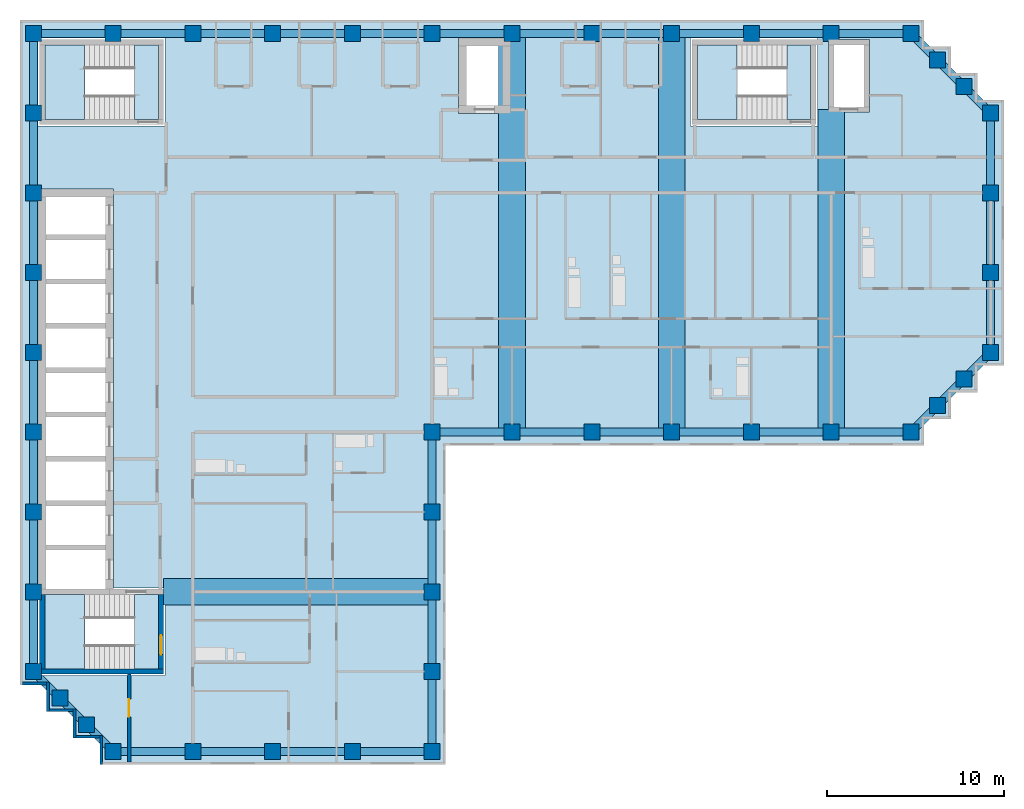
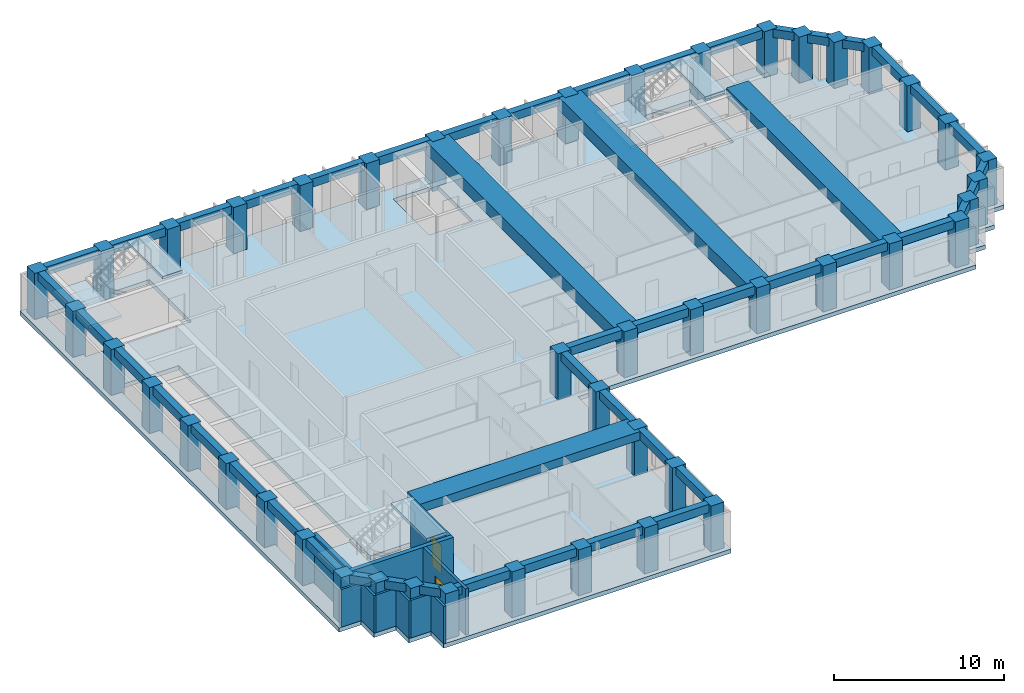
# One storey, part 1 of 9: 49 beams, 45 columns, 10 walls, 7 slabs, 2 doors, 2 openings, 3 elements without a shape of their own.
"""IFC4 building model written with IfcOpenShell, lengths in metres."""

from ifc_helpers import new_model, si_unit, direction, frame, frame_2d, origin, origin_2d, place, context, subcontext, project, spatial, polyline, rectangle, outline, extrude, material, layer, layer_set, material_profile, profile_set, type_object, element, fill, aggregate, save


model = new_model("IFC4")

# Units and contexts
model_context = context("Model", 3, precision=1e-05, world=origin(), true_north=direction((0.0, 1.0)))
body_context = subcontext(model_context, "Body", "Model", "MODEL_VIEW")
ifc_project = project(units=[si_unit("LENGTHUNIT", "METRE"), si_unit("AREAUNIT", "SQUARE_METRE"), si_unit("VOLUMEUNIT", "CUBIC_METRE"), si_unit("PLANEANGLEUNIT", "RADIAN"), si_unit("MASSUNIT", "GRAM", prefix="KILO")], contexts=[model_context])

# Site, building, storey
site_placement = place(None, origin())
site = spatial("IfcSite", under=ifc_project, at=site_placement, CompositionType="ELEMENT")
building_placement = place(site_placement, origin())
building = spatial("IfcBuilding", under=site, at=building_placement, Name="Firuza Court", CompositionType="ELEMENT")
storey_placement = place(building_placement, frame((0.0, 0.0, 222.199951171875)))
storey = spatial("IfcBuildingStorey", under=building, at=storey_placement, Name="L57", CompositionType="ELEMENT", Elevation=222.199951171875)

# Columns
ifc_material_1 = material(Name="Concrete C50/60", Category="concrete")
ifc_material_profile_1 = material_profile(ifc_material_1, rectangle(XDim=0.89990234375, YDim=0.89990234375, at=origin_2d()), Name="RC 900x900")
ifc_profile_set_1 = profile_set([ifc_material_profile_1], Name="Concrete C50/60")
column_type = type_object("IfcColumnType", Name="Tube column RC 900x900 C50/60", PredefinedType="COLUMN", material=ifc_profile_set_1)
for number, where, z_axis, x_axis, name in (
    (1, (4.5, 18.0, -0.300048828125), (0.0, 0.0, 1.0), (1.0, 0.0, 0.0), "Column C-2H L57"),
    (2, (9.0, 18.0, -0.300048828125), (0.0, 0.0, 1.0), (1.0, 0.0, 0.0), "Column C-3H L57"),
    (3, (13.5, 18.0, -0.300048828125), (0.0, 0.0, 1.0), (1.0, 0.0, 0.0), "Column C-4H L57"),
    (4, (18.0, 18.0, -0.300048828125), (0.0, 0.0, 1.0), (1.0, 0.0, 0.0), "Column C-5H L57"),
    (5, (22.5, 18.0, -0.300048828125), (0.0, 0.0, 1.0), (1.0, 0.0, 0.0), "Column C-6H L57"),
    (6, (3.0, 19.5, -0.300048828125), (0.0, 0.0, 1.0), (1.0, 0.0, 0.0), "Column C-SA1 L57"),
    (7, (1.5, 21.0, -0.300048828125), (0.0, 0.0, 1.0), (1.0, 0.0, 0.0), "Column C-SA2 L57"),
    (8, (0.0, 22.5, -0.300048828125), (0.0, 0.0, 1.0), (1.0, 0.0, 0.0), "Column C-1J L57"),
    (9, (22.5, 22.5, -0.300048828125), (0.0, 0.0, 1.0), (1.0, 0.0, 0.0), "Column C-6J L57"),
    (10, (0.0, 27.0, -0.300048828125), (0.0, 0.0, 1.0), (1.0, 0.0, 0.0), "Column C-1K L57"),
    (11, (22.5, 27.0, -0.300048828125), (0.0, 0.0, 1.0), (1.0, 0.0, 0.0), "Column C-6K L57"),
    (12, (0.0, 31.5, -0.300048828125), (0.0, 0.0, 1.0), (1.0, 0.0, 0.0), "Column C-1L L57"),
    (13, (22.5, 31.5, -0.300048828125), (0.0, 0.0, 1.0), (1.0, 0.0, 0.0), "Column C-6L L57"),
    (14, (0.0, 36.0, -0.300048828125), (0.0, 0.0, 1.0), (1.0, 0.0, 0.0), "Column C-1M L57"),
    (15, (22.5, 36.0, -0.300048828125), (0.0, 0.0, 1.0), (1.0, 0.0, 0.0), "Column C-6M L57"),
    (16, (27.0, 36.0, -0.300048828125), (0.0, 0.0, 1.0), (1.0, 0.0, 0.0), "Column C-7M L57"),
    (17, (31.5, 36.0, -0.300048828125), (0.0, 0.0, 1.0), (1.0, 0.0, 0.0), "Column C-8M L57"),
    (18, (36.0, 36.0, -0.300048828125), (0.0, 0.0, 1.0), (1.0, 0.0, 0.0), "Column C-9M L57"),
    (19, (40.5, 36.0, -0.300048828125), (0.0, 0.0, 1.0), (1.0, 0.0, 0.0), "Column C-10M L57"),
    (20, (45.0, 36.0, -0.300048828125), (0.0, 0.0, 1.0), (1.0, 0.0, 0.0), "Column C-11M L57"),
    (21, (49.5, 36.0, -0.300048828125), (0.0, 0.0, 1.0), (1.0, 0.0, 0.0), "Column C-12M L57"),
    (22, (51.0, 37.5, -0.300048828125), (0.0, 0.0, 1.0), (1.0, 0.0, 0.0), "Column C-SA3 L57"),
    (23, (52.5, 39.0, -0.300048828125), (0.0, 0.0, 1.0), (1.0, 0.0, 0.0), "Column C-SA4 L57"),
    (24, (0.0, 40.5, -0.300048828125), (0.0, 0.0, 1.0), (1.0, 0.0, 0.0), "Column C-1N L57"),
    (25, (54.0, 40.5, -0.300048828125), (0.0, 0.0, 1.0), (1.0, 0.0, 0.0), "Column C-13N L57"),
    (26, (0.0, 45.0, -0.300048828125), (0.0, 0.0, 1.0), (1.0, 0.0, 0.0), "Column C-1P L57"),
    (27, (54.0, 45.0, -0.300048828125), (0.0, 0.0, 1.0), (1.0, 0.0, 0.0), "Column C-13P L57"),
    (28, (0.0, 49.5, -0.300048828125), (0.0, 0.0, 1.0), (1.0, 0.0, 0.0), "Column C-1Q L57"),
    (29, (54.0, 49.5, -0.300048828125), (0.0, 0.0, 1.0), (1.0, 0.0, 0.0), "Column C-13Q L57"),
    (30, (0.0, 54.0, -0.300048828125), (0.0, 0.0, 1.0), (1.0, 0.0, 0.0), "Column C-1R L57"),
    (31, (54.0, 54.0, -0.300048828125), (0.0, 0.0, 1.0), (1.0, 0.0, 0.0), "Column C-13R L57"),
    (32, (52.5, 55.5, -0.300048828125), (0.0, 0.0, 1.0), (1.0, 0.0, 0.0), "Column C-SA5 L57"),
    (33, (51.0, 57.0, -0.300048828125), (0.0, 0.0, 1.0), (1.0, 0.0, 0.0), "Column C-SA6 L57"),
    (34, (0.0, 58.5, -0.300048828125), (0.0, 0.0, 1.0), (1.0, 0.0, 0.0), "Column C-1S L57"),
    (35, (4.5, 58.5, -0.300048828125), (0.0, 0.0, 1.0), (1.0, 0.0, 0.0), "Column C-2S L57"),
    (36, (9.0, 58.5, -0.300048828125), (0.0, 0.0, 1.0), (1.0, 0.0, 0.0), "Column C-3S L57"),
    (37, (13.5, 58.5, -0.300048828125), (0.0, 0.0, 1.0), (1.0, 0.0, 0.0), "Column C-4S L57"),
    (38, (18.0, 58.5, -0.300048828125), (0.0, 0.0, 1.0), (1.0, 0.0, 0.0), "Column C-5S L57"),
    (39, (22.5, 58.5, -0.300048828125), (0.0, 0.0, 1.0), (1.0, 0.0, 0.0), "Column C-6S L57"),
    (40, (27.0, 58.5, -0.300048828125), (0.0, 0.0, 1.0), (1.0, 0.0, 0.0), "Column C-7S L57"),
    (41, (31.5, 58.5, -0.300048828125), (0.0, 0.0, 1.0), (1.0, 0.0, 0.0), "Column C-8S L57"),
    (42, (36.0, 58.5, -0.300048828125), (0.0, 0.0, 1.0), (1.0, 0.0, 0.0), "Column C-9S L57"),
    (43, (40.5, 58.5, -0.300048828125), (0.0, 0.0, 1.0), (1.0, 0.0, 0.0), "Column C-10S L57"),
    (44, (45.0, 58.5, -0.300048828125), (0.0, 0.0, 1.0), (1.0, 0.0, 0.0), "Column C-11S L57"),
    (45, (49.5, 58.5, -0.300048828125), (0.0, 0.0, 1.0), (1.0, 0.0, 0.0), "Column C-12S L57"),
):
    element("IfcColumn", number, at=place(storey_placement, frame(where, z_axis=z_axis, x_axis=x_axis)), inside=storey, type_object=column_type, Name=name, PredefinedType="COLUMN", context=body_context, shape_type="SweptSolid", body=[
        extrude(rectangle(XDim=0.89990234375, YDim=0.89990234375, at=origin_2d()), origin(), (0.0, 0.0, 1.0), 3.60009765625),
    ])

# Beams
ifc_material_2 = material(Name="Concrete C40/50", Category="concrete")
ifc_material_profile_2 = material_profile(ifc_material_2, rectangle(XDim=1.5, YDim=0.60009765625, at=origin_2d()), Name="RC 1500x600")
ifc_profile_set_2 = profile_set([ifc_material_profile_2], Name="Concrete C40/50")
beam_type_1 = type_object("IfcBeamType", Name="Band beam RC 1500x600 C40/50", PredefinedType="BEAM", material=ifc_profile_set_2)
beam_1_placement = place(storey_placement, frame((22.5, 27.0, 3.0), z_axis=(-1.0, 0.0, 0.0), x_axis=(0.0, -1.0, 0.0)))
element("IfcBeam", 46, at=beam_1_placement, inside=storey, type_object=beam_type_1, Name="Band beam FB3 level L58", PredefinedType="BEAM", context=body_context, shape_type="SweptSolid", body=[
    extrude(rectangle(XDim=1.5, YDim=0.60009765625, at=origin_2d()), origin(), (0.0, 0.0, 1.0), 15.14990234375),
])
ifc_material_3 = material(Name="Concrete C40/50", Category="concrete")
ifc_material_profile_3 = material_profile(ifc_material_3, rectangle(XDim=1.5, YDim=0.699951171875, at=origin_2d()), Name="RC 1500x700")
ifc_profile_set_3 = profile_set([ifc_material_profile_3], Name="Concrete C40/50")
beam_type_2 = type_object("IfcBeamType", Name="Band beam RC 1500x700 C40/50", PredefinedType="BEAM", material=ifc_profile_set_3)
beam_2_placement = place(storey_placement, frame((45.0, 36.0, 2.949951171875), z_axis=(0.0, 1.0, 0.0), x_axis=(-1.0, 0.0, 0.0)))
element("IfcBeam", 47, at=beam_2_placement, inside=storey, type_object=beam_type_2, Name="Band beam FB1 level L58", PredefinedType="BEAM", context=body_context, shape_type="SweptSolid", body=[
    extrude(rectangle(XDim=1.5, YDim=0.699951171875, at=origin_2d()), origin(), (0.0, 0.0, 1.0), 18.199951171875),
])
ifc_material_4 = material(Name="Concrete C40/50", Category="concrete")
ifc_material_profile_4 = material_profile(ifc_material_4, rectangle(XDim=1.5, YDim=0.89990234375, at=origin_2d()), Name="RC 1500x900")
ifc_profile_set_4 = profile_set([ifc_material_profile_4], Name="Concrete C40/50")
beam_type_3 = type_object("IfcBeamType", Name="Band beam RC 1500x900 C40/50", PredefinedType="BEAM", material=ifc_profile_set_4)
for number, where, z_axis, x_axis, name in (
    (48, (27.0, 36.0, 2.85009765625), (0.0, 1.0, 0.0), (-1.0, 0.0, 0.0), "Band beam FB2 level L58"),
    (49, (36.0, 36.0, 2.85009765625), (0.0, 1.0, 0.0), (-1.0, 0.0, 0.0), "Band beam FB2 level L58"),
):
    element("IfcBeam", number, at=place(storey_placement, frame(where, z_axis=z_axis, x_axis=x_axis)), inside=storey, type_object=beam_type_3, Name=name, PredefinedType="BEAM", context=body_context, shape_type="SweptSolid", body=[
        extrude(rectangle(XDim=1.5, YDim=0.89990234375, at=origin_2d()), origin(), (0.0, 0.0, 1.0), 22.5),
    ])
ifc_material_5 = material(Name="Concrete C40/50", Category="concrete")
ifc_material_profile_5 = material_profile(ifc_material_5, rectangle(XDim=0.449951171875, YDim=0.60009765625, at=origin_2d()), Name="RC 450x600")
ifc_profile_set_5 = profile_set([ifc_material_profile_5], Name="Concrete C40/50")
beam_type_4 = type_object("IfcBeamType", Name="Spandrel beam RC 450x600 C40/50", PredefinedType="BEAM", material=ifc_profile_set_5)
beam_3_placement = place(storey_placement, frame((0.0, 22.5, 3.0), z_axis=(0.707106781187, -0.707106781187, 0.0), x_axis=(0.707106781187, 0.707106781187, 0.0)))
element("IfcBeam", 50, at=beam_3_placement, inside=storey, type_object=beam_type_4, Name="Spandrel beam SP15 level L58", PredefinedType="BEAM", context=body_context, shape_type="SweptSolid", body=[
    extrude(rectangle(XDim=0.449951171875, YDim=0.60009765625, at=origin_2d()), origin(), (0.0, 0.0, 1.0), 2.121337890625),
])
for number, where, z_axis, x_axis, name in (
    (51, (0.0, 27.0, 3.0), (0.0, -1.0, 0.0), (1.0, 0.0, 0.0), "Spandrel beam SP15 level L58"),
    (52, (0.0, 31.5, 3.0), (0.0, -1.0, 0.0), (1.0, 0.0, 0.0), "Spandrel beam SP15 level L58"),
    (53, (0.0, 36.0, 3.0), (0.0, -1.0, 0.0), (1.0, 0.0, 0.0), "Spandrel beam SP15 level L58"),
    (54, (0.0, 40.5, 3.0), (0.0, -1.0, 0.0), (1.0, 0.0, 0.0), "Spandrel beam SP15 level L58"),
    (55, (0.0, 45.0, 3.0), (0.0, -1.0, 0.0), (1.0, 0.0, 0.0), "Spandrel beam SP15 level L58"),
    (56, (0.0, 49.5, 3.0), (0.0, -1.0, 0.0), (1.0, 0.0, 0.0), "Spandrel beam SP15 level L58"),
    (57, (0.0, 54.0, 3.0), (0.0, -1.0, 0.0), (1.0, 0.0, 0.0), "Spandrel beam SP15 level L58"),
    (58, (0.0, 58.5, 3.0), (0.0, -1.0, 0.0), (1.0, 0.0, 0.0), "Spandrel beam SP15 level L58"),
):
    element("IfcBeam", number, at=place(storey_placement, frame(where, z_axis=z_axis, x_axis=x_axis)), inside=storey, type_object=beam_type_4, Name=name, PredefinedType="BEAM", context=body_context, shape_type="SweptSolid", body=[
        extrude(rectangle(XDim=0.449951171875, YDim=0.60009765625, at=origin_2d()), origin(), (0.0, 0.0, 1.0), 4.5),
    ])
for number, where, z_axis, x_axis, name in (
    (59, (1.5, 21.0, 3.0), (0.707106781187, -0.707106781187, 0.0), (0.707106781187, 0.707106781187, 0.0), "Spandrel beam SP15 level L58"),
    (60, (3.0, 19.5, 3.0), (0.707106781187, -0.707106781187, 0.0), (0.707106781187, 0.707106781187, 0.0), "Spandrel beam SP15 level L58"),
):
    element("IfcBeam", number, at=place(storey_placement, frame(where, z_axis=z_axis, x_axis=x_axis)), inside=storey, type_object=beam_type_4, Name=name, PredefinedType="BEAM", context=body_context, shape_type="SweptSolid", body=[
        extrude(rectangle(XDim=0.449951171875, YDim=0.60009765625, at=origin_2d()), origin(), (0.0, 0.0, 1.0), 2.121337890625),
    ])
for number, where, z_axis, x_axis, name in (
    (61, (4.5, 18.0, 3.0), (1.0, 0.0, 0.0), (0.0, 1.0, 0.0), "Spandrel beam SP15 level L58"),
    (62, (4.5, 58.5, 3.0), (-1.0, 0.0, 0.0), (0.0, -1.0, 0.0), "Spandrel beam SP15 level L58"),
    (63, (9.0, 18.0, 3.0), (1.0, 0.0, 0.0), (0.0, 1.0, 0.0), "Spandrel beam SP15 level L58"),
    (64, (9.0, 58.5, 3.0), (-1.0, 0.0, 0.0), (0.0, -1.0, 0.0), "Spandrel beam SP15 level L58"),
    (65, (13.5, 18.0, 3.0), (1.0, 0.0, 0.0), (0.0, 1.0, 0.0), "Spandrel beam SP15 level L58"),
    (66, (13.5, 58.5, 3.0), (-1.0, 0.0, 0.0), (0.0, -1.0, 0.0), "Spandrel beam SP15 level L58"),
    (67, (18.0, 18.0, 3.0), (1.0, 0.0, 0.0), (0.0, 1.0, 0.0), "Spandrel beam SP15 level L58"),
    (68, (18.0, 58.5, 3.0), (-1.0, 0.0, 0.0), (0.0, -1.0, 0.0), "Spandrel beam SP15 level L58"),
    (69, (22.5, 18.0, 3.0), (0.0, 1.0, 0.0), (-1.0, 0.0, 0.0), "Spandrel beam SP15 level L58"),
    (70, (22.5, 22.5, 3.0), (0.0, 1.0, 0.0), (-1.0, 0.0, 0.0), "Spandrel beam SP15 level L58"),
    (71, (22.5, 27.0, 3.0), (0.0, 1.0, 0.0), (-1.0, 0.0, 0.0), "Spandrel beam SP15 level L58"),
    (72, (22.5, 31.5, 3.0), (0.0, 1.0, 0.0), (-1.0, 0.0, 0.0), "Spandrel beam SP15 level L58"),
    (73, (22.5, 36.0, 3.0), (1.0, 0.0, 0.0), (0.0, 1.0, 0.0), "Spandrel beam SP15 level L58"),
    (74, (22.5, 58.5, 3.0), (-1.0, 0.0, 0.0), (0.0, -1.0, 0.0), "Spandrel beam SP15 level L58"),
    (75, (27.0, 36.0, 3.0), (1.0, 0.0, 0.0), (0.0, 1.0, 0.0), "Spandrel beam SP15 level L58"),
    (76, (27.0, 58.5, 3.0), (-1.0, 0.0, 0.0), (0.0, -1.0, 0.0), "Spandrel beam SP15 level L58"),
    (77, (31.5, 36.0, 3.0), (1.0, 0.0, 0.0), (0.0, 1.0, 0.0), "Spandrel beam SP15 level L58"),
    (78, (31.5, 58.5, 3.0), (-1.0, 0.0, 0.0), (0.0, -1.0, 0.0), "Spandrel beam SP15 level L58"),
    (79, (36.0, 36.0, 3.0), (1.0, 0.0, 0.0), (0.0, 1.0, 0.0), "Spandrel beam SP15 level L58"),
    (80, (36.0, 58.5, 3.0), (-1.0, 0.0, 0.0), (0.0, -1.0, 0.0), "Spandrel beam SP15 level L58"),
    (81, (40.5, 36.0, 3.0), (1.0, 0.0, 0.0), (0.0, 1.0, 0.0), "Spandrel beam SP15 level L58"),
    (82, (40.5, 58.5, 3.0), (-1.0, 0.0, 0.0), (0.0, -1.0, 0.0), "Spandrel beam SP15 level L58"),
    (83, (45.0, 36.0, 3.0), (1.0, 0.0, 0.0), (0.0, 1.0, 0.0), "Spandrel beam SP15 level L58"),
    (84, (45.0, 58.5, 3.0), (-1.0, 0.0, 0.0), (0.0, -1.0, 0.0), "Spandrel beam SP15 level L58"),
):
    element("IfcBeam", number, at=place(storey_placement, frame(where, z_axis=z_axis, x_axis=x_axis)), inside=storey, type_object=beam_type_4, Name=name, PredefinedType="BEAM", context=body_context, shape_type="SweptSolid", body=[
        extrude(rectangle(XDim=0.449951171875, YDim=0.60009765625, at=origin_2d()), origin(), (0.0, 0.0, 1.0), 4.5),
    ])
beam_4_placement = place(storey_placement, frame((49.5, 36.0, 3.0), z_axis=(0.707106781187, 0.707106781187, 0.0), x_axis=(-0.707106781187, 0.707106781187, 0.0)))
element("IfcBeam", 85, at=beam_4_placement, inside=storey, type_object=beam_type_4, Name="Spandrel beam SP15 level L58", PredefinedType="BEAM", context=body_context, shape_type="SweptSolid", body=[
    extrude(rectangle(XDim=0.449951171875, YDim=0.60009765625, at=origin_2d()), origin(), (0.0, 0.0, 1.0), 2.121337890625),
])
beam_5_placement = place(storey_placement, frame((49.5, 58.5, 3.0), z_axis=(-1.0, 0.0, 0.0), x_axis=(0.0, -1.0, 0.0)))
element("IfcBeam", 86, at=beam_5_placement, inside=storey, type_object=beam_type_4, Name="Spandrel beam SP15 level L58", PredefinedType="BEAM", context=body_context, shape_type="SweptSolid", body=[
    extrude(rectangle(XDim=0.449951171875, YDim=0.60009765625, at=origin_2d()), origin(), (0.0, 0.0, 1.0), 4.5),
])
for number, where, z_axis, x_axis, name in (
    (87, (51.0, 37.5, 3.0), (0.707106781187, 0.707106781187, 0.0), (-0.707106781187, 0.707106781187, 0.0), "Spandrel beam SP15 level L58"),
    (88, (51.0, 57.0, 3.0), (-0.707106781187, 0.707106781187, 0.0), (-0.707106781187, -0.707106781187, 0.0), "Spandrel beam SP15 level L58"),
    (89, (52.5, 39.0, 3.0), (0.707106781187, 0.707106781187, 0.0), (-0.707106781187, 0.707106781187, 0.0), "Spandrel beam SP15 level L58"),
    (90, (52.5, 55.5, 3.0), (-0.707106781187, 0.707106781187, 0.0), (-0.707106781187, -0.707106781187, 0.0), "Spandrel beam SP15 level L58"),
):
    element("IfcBeam", number, at=place(storey_placement, frame(where, z_axis=z_axis, x_axis=x_axis)), inside=storey, type_object=beam_type_4, Name=name, PredefinedType="BEAM", context=body_context, shape_type="SweptSolid", body=[
        extrude(rectangle(XDim=0.449951171875, YDim=0.60009765625, at=origin_2d()), origin(), (0.0, 0.0, 1.0), 2.121337890625),
    ])
for number, where, z_axis, x_axis, name in (
    (91, (54.0, 40.5, 3.0), (0.0, 1.0, 0.0), (-1.0, 0.0, 0.0), "Spandrel beam SP15 level L58"),
    (92, (54.0, 45.0, 3.0), (0.0, 1.0, 0.0), (-1.0, 0.0, 0.0), "Spandrel beam SP15 level L58"),
    (93, (54.0, 49.5, 3.0), (0.0, 1.0, 0.0), (-1.0, 0.0, 0.0), "Spandrel beam SP15 level L58"),
):
    element("IfcBeam", number, at=place(storey_placement, frame(where, z_axis=z_axis, x_axis=x_axis)), inside=storey, type_object=beam_type_4, Name=name, PredefinedType="BEAM", context=body_context, shape_type="SweptSolid", body=[
        extrude(rectangle(XDim=0.449951171875, YDim=0.60009765625, at=origin_2d()), origin(), (0.0, 0.0, 1.0), 4.5),
    ])
beam_6_placement = place(storey_placement, frame((54.0, 54.0, 3.0), z_axis=(-0.707106781187, 0.707106781187, 0.0), x_axis=(-0.707106781187, -0.707106781187, 0.0)))
element("IfcBeam", 94, at=beam_6_placement, inside=storey, type_object=beam_type_4, Name="Spandrel beam SP15 level L58", PredefinedType="BEAM", context=body_context, shape_type="SweptSolid", body=[
    extrude(rectangle(XDim=0.449951171875, YDim=0.60009765625, at=origin_2d()), origin(), (0.0, 0.0, 1.0), 2.121337890625),
])

# Slab
ifc_material_6 = material(Name="Concrete C40/50", Category="concrete")
ifc_layer_1 = layer(ifc_material_6, 0.300048828125)
ifc_layer_set_1 = layer_set([ifc_layer_1], Name="Concrete C40/50")
slab_type_1 = type_object("IfcSlabType", Name="Floor slab 300 C40/50", PredefinedType="FLOOR", material=ifc_layer_set_1)
slab_1_placement = place(storey_placement, frame((0.0, 0.0, -0.300048828125)))
element("IfcSlab", 95, at=slab_1_placement, inside=storey, type_object=slab_type_1, Name="Floor slab L57", PredefinedType="FLOOR", context=body_context, shape_type="SweptSolid", body=[
    extrude(outline(polyline([(-0.75, 59.25), (50.25, 59.25), (50.25, 57.75), (51.75, 57.75), (51.75, 56.25), (53.25, 56.25), (53.25, 54.75), (54.75, 54.75), (54.75, 39.75), (53.25, 39.75), (53.25, 38.25), (51.75, 38.25), (51.75, 36.75), (50.25, 36.75), (50.25, 35.25), (23.25, 35.25), (23.25, 17.25), (3.75, 17.25), (3.75, 18.75), (2.25, 18.75), (2.25, 20.25), (0.75, 20.25), (0.75, 21.75), (-0.75, 21.75), (-0.75, 59.25)]), holes=[polyline([(0.27490234375, 34.27490234375), (0.27490234375, 32.22509765625), (0.27490234375, 31.77490234375), (0.27490234375, 29.72509765625), (0.27490234375, 29.27490234375), (0.27490234375, 27.22509765625), (0.27490234375, 26.77490234375), (0.27490234375, 22.27490234375), (7.425048828125, 22.27490234375), (7.425048828125, 27.22509765625), (4.52490234375, 27.22509765625), (4.52490234375, 29.27490234375), (4.52490234375, 29.72509765625), (4.52490234375, 31.77490234375), (4.52490234375, 32.22509765625), (4.52490234375, 34.27490234375), (4.52490234375, 34.72509765625), (4.52490234375, 36.77490234375), (4.52490234375, 37.22509765625), (4.52490234375, 39.27490234375), (4.52490234375, 39.72509765625), (4.52490234375, 41.77490234375), (4.52490234375, 42.22509765625), (4.52490234375, 44.27490234375), (4.52490234375, 44.72509765625), (4.52490234375, 46.77490234375), (4.52490234375, 47.22509765625), (4.52490234375, 49.72509765625), (0.27490234375, 49.72509765625), (0.27490234375, 47.22509765625), (0.27490234375, 46.77490234375), (0.27490234375, 44.72509765625), (0.27490234375, 44.27490234375), (0.27490234375, 42.22509765625), (0.27490234375, 41.77490234375), (0.27490234375, 39.72509765625), (0.27490234375, 39.27490234375), (0.27490234375, 37.22509765625), (0.27490234375, 36.77490234375), (0.27490234375, 34.72509765625), (0.27490234375, 34.27490234375)]), polyline([(7.425048828125, 58.22509765625), (0.27490234375, 58.22509765625), (0.27490234375, 53.27490234375), (7.425048828125, 53.27490234375), (7.425048828125, 58.22509765625)]), polyline([(44.22509765625, 58.22509765625), (37.074951171875, 58.22509765625), (37.074951171875, 53.27490234375), (44.22509765625, 53.27490234375), (44.22509765625, 58.22509765625)]), polyline([(26.925048828125, 58.22509765625), (23.97509765625, 58.22509765625), (23.97509765625, 53.97509765625), (26.925048828125, 53.97509765625), (26.925048828125, 58.22509765625)]), polyline([(47.14990234375, 58.14990234375), (44.85009765625, 58.14990234375), (44.85009765625, 54.050048828125), (47.14990234375, 54.050048828125), (47.14990234375, 58.14990234375)])]), origin(), (0.0, 0.0, 1.0), 0.300048828125),
])

# Stair, slabs
ifc_material_7 = material(Name="Concrete C40/50 precast", Category="concrete")
stair_type = type_object("IfcStairType", Name="Stair 1350 x 3600 2 flights", PredefinedType="HALF_TURN_STAIR", material=ifc_material_7)
stair_1_placement = place(storey_placement, origin())
stair_1 = element("IfcStair", 96, at=stair_1_placement, inside=storey, type_object=stair_type, Name="Stair 1 L57", PredefinedType="HALF_TURN_STAIR")
ifc_material_8 = material(Name="Concrete C40/50 precast", Category="concrete")
ifc_layer_2 = layer(ifc_material_8, 0.199951171875)
ifc_layer_set_2 = layer_set([ifc_layer_2], Name="Concrete C40/50 precast")
slab_type_2 = type_object("IfcSlabType", Name="Stair landing 200", PredefinedType="LANDING", material=ifc_layer_set_2)
slab_2_placement = place(storey_placement, frame((0.0, 0.0, 1.60009765625)))
slab_2 = element("IfcSlab", 97, at=slab_2_placement, type_object=slab_type_2, Name="S1 landing 1", PredefinedType="LANDING", context=body_context, shape_type="SweptSolid", body=[
    extrude(outline(polyline([(39.699951171875, 53.64990234375), (39.699951171875, 57.85009765625), (37.449951171875, 57.85009765625), (37.449951171875, 53.64990234375), (39.699951171875, 53.64990234375)])), origin(), (0.0, 0.0, 1.0), 0.199951171875),
])
slab_3_placement = place(storey_placement, frame((0.0, 0.0, 3.400146484375)))
slab_3 = element("IfcSlab", 98, at=slab_3_placement, type_object=slab_type_2, Name="S1 landing 2", PredefinedType="LANDING", context=body_context, shape_type="SweptSolid", body=[
    extrude(outline(polyline([(43.85009765625, 53.64990234375), (43.85009765625, 57.85009765625), (42.5, 57.85009765625), (42.5, 53.64990234375), (43.85009765625, 53.64990234375)])), origin(), (0.0, 0.0, 1.0), 0.199951171875),
])
aggregate(stair_1, [slab_2, slab_3])

stair_2_placement = place(storey_placement, origin())
stair_2 = element("IfcStair", 99, at=stair_2_placement, inside=storey, type_object=stair_type, Name="Stair 2 L57", PredefinedType="HALF_TURN_STAIR")
slab_4_placement = place(storey_placement, frame((0.0, 0.0, 1.60009765625)))
slab_4 = element("IfcSlab", 100, at=slab_4_placement, type_object=slab_type_2, Name="S2 landing 1", PredefinedType="LANDING", context=body_context, shape_type="SweptSolid", body=[
    extrude(outline(polyline([(2.89990234375, 22.64990234375), (2.89990234375, 26.85009765625), (0.64990234375, 26.85009765625), (0.64990234375, 22.64990234375), (2.89990234375, 22.64990234375)])), origin(), (0.0, 0.0, 1.0), 0.199951171875),
])
slab_5_placement = place(storey_placement, frame((0.0, 0.0, 3.400146484375)))
slab_5 = element("IfcSlab", 101, at=slab_5_placement, type_object=slab_type_2, Name="S2 landing 2", PredefinedType="LANDING", context=body_context, shape_type="SweptSolid", body=[
    extrude(outline(polyline([(7.050048828125, 22.64990234375), (7.050048828125, 26.85009765625), (5.699951171875, 26.85009765625), (5.699951171875, 22.64990234375), (7.050048828125, 22.64990234375)])), origin(), (0.0, 0.0, 1.0), 0.199951171875),
])
aggregate(stair_2, [slab_4, slab_5])

stair_3_placement = place(storey_placement, origin())
stair_3 = element("IfcStair", 102, at=stair_3_placement, inside=storey, type_object=stair_type, Name="Stair 3 L57", PredefinedType="HALF_TURN_STAIR")
slab_6_placement = place(storey_placement, frame((0.0, 0.0, 1.60009765625)))
slab_6 = element("IfcSlab", 103, at=slab_6_placement, type_object=slab_type_2, Name="S3 landing 1", PredefinedType="LANDING", context=body_context, shape_type="SweptSolid", body=[
    extrude(outline(polyline([(2.89990234375, 53.64990234375), (2.89990234375, 57.85009765625), (0.64990234375, 57.85009765625), (0.64990234375, 53.64990234375), (2.89990234375, 53.64990234375)])), origin(), (0.0, 0.0, 1.0), 0.199951171875),
])
slab_7_placement = place(storey_placement, frame((0.0, 0.0, 3.400146484375)))
slab_7 = element("IfcSlab", 104, at=slab_7_placement, type_object=slab_type_2, Name="S3 landing 2", PredefinedType="LANDING", context=body_context, shape_type="SweptSolid", body=[
    extrude(outline(polyline([(7.050048828125, 53.64990234375), (7.050048828125, 57.85009765625), (5.699951171875, 57.85009765625), (5.699951171875, 53.64990234375), (7.050048828125, 53.64990234375)])), origin(), (0.0, 0.0, 1.0), 0.199951171875),
])
aggregate(stair_3, [slab_6, slab_7])

# Walls
ifc_material_9 = material(Name="Concrete C50/60", Category="concrete")
ifc_layer_3 = layer(ifc_material_9, 0.300048828125)
ifc_layer_set_3 = layer_set([ifc_layer_3], Name="Concrete C50/60")
wall_type_1 = type_object("IfcWallType", Name="Core wall 300 C50/60", PredefinedType="SHEAR", material=ifc_layer_set_3)
wall_1_placement = place(storey_placement, frame((0.35009765625, 22.5, -0.300048828125), z_axis=(0.0, 0.0, 1.0), x_axis=(1.0, 0.0, 0.0)))
element("IfcWall", 105, at=wall_1_placement, inside=storey, type_object=wall_type_1, Name="Core wall stair L57", PredefinedType="SHEAR", context=body_context, shape_type="SweptSolid", body=[
    extrude(rectangle(XDim=7.0, YDim=0.300048828125, at=frame_2d((3.5, 0.0))), origin(), (0.0, 0.0, 1.0), 3.60009765625),
])
wall_2_placement = place(storey_placement, frame((0.5, 22.64990234375, -0.300048828125), z_axis=(0.0, 0.0, 1.0), x_axis=(0.0, 1.0, 0.0)))
element("IfcWall", 106, at=wall_2_placement, inside=storey, type_object=wall_type_1, Name="Core wall stair L57", PredefinedType="SHEAR", context=body_context, shape_type="SweptSolid", body=[
    extrude(rectangle(XDim=4.2001953125, YDim=0.300048828125, at=frame_2d((2.10009765625, 0.0))), origin(), (0.0, 0.0, 1.0), 3.60009765625),
])

# Wall, opening, door
wall_3_placement = place(storey_placement, frame((7.199951171875, 22.64990234375, -0.300048828125), z_axis=(0.0, 0.0, 1.0), x_axis=(0.0, 1.0, 0.0)))
wall_3 = element("IfcWall", 107, at=wall_3_placement, inside=storey, type_object=wall_type_1, Name="Core wall stair L57", PredefinedType="SHEAR", context=body_context, shape_type="SweptSolid", body=[
    extrude(rectangle(XDim=4.2001953125, YDim=0.300048828125, at=frame_2d((2.10009765625, 0.0))), origin(), (0.0, 0.0, 1.0), 3.60009765625),
])
opening_1_placement = place(wall_3_placement, frame((0.800048828125, 0.0, 0.300048828125)))
opening_1 = element("IfcOpeningElement", 108, at=opening_1_placement, cuts=wall_3, Name="Opening D57011", PredefinedType="OPENING", context=body_context, shape_type="SweptSolid", body=[
    extrude(rectangle(XDim=1.10009765625, YDim=2.10009765625, at=frame_2d((0.550048828125, 1.050048828125))), frame((0.0, 0.162109375, 0.0), z_axis=(0.0, -1.0, 0.0), x_axis=(1.0, 0.0, 0.0)), (0.0, 0.0, 1.0), 0.323974609375),
])
ifc_material_10 = material(Name="Timber door leaf in hardwood frame", Category="wood")
door_type_1 = type_object("IfcDoorType", Name="Stair door 1100", OperationType="SINGLE_SWING_LEFT", PredefinedType="DOOR", material=ifc_material_10)
door_1_placement = place(opening_1_placement, origin())
door_1 = element("IfcDoor", 109, at=door_1_placement, inside=storey, type_object=door_type_1, Name="Stair door S2", OperationType="SINGLE_SWING_LEFT", OverallHeight=2.10009765625, OverallWidth=1.10009765625, PredefinedType="DOOR", context=body_context, shape_type="SweptSolid", body=[
    extrude(rectangle(XDim=1.10009765625, YDim=2.10009765625, at=frame_2d((0.550048828125, 1.050048828125))), frame((0.0, 0.02490234375, 0.0), z_axis=(0.0, -1.0, 0.0), x_axis=(1.0, 0.0, 0.0)), (0.0, 0.0, 1.0), 0.050048828125),
])
fill(opening_1, door_1)

ifc_material_11 = material(Name="Blockwork, plastered both sides", Category="masonry")
ifc_layer_4 = layer(ifc_material_11, 0.199951171875)
ifc_layer_set_4 = layer_set([ifc_layer_4], Name="Blockwork, plastered both sides")
wall_type_2 = type_object("IfcWallType", Name="Corridor wall 200", PredefinedType="PARTITIONING", material=ifc_layer_set_4)
wall_4_placement = place(storey_placement, frame((5.39990234375, 17.39990234375, 0.0), z_axis=(0.0, 0.0, 1.0), x_axis=(0.0, 1.0, 0.0)))
wall_4 = element("IfcWall", 110, at=wall_4_placement, inside=storey, type_object=wall_type_2, Name="Corridor wall 200 L57", PredefinedType="PARTITIONING", context=body_context, shape_type="SweptSolid", body=[
    extrude(rectangle(XDim=4.9501953125, YDim=0.199951171875, at=frame_2d((2.47509765625, 0.0))), origin(), (0.0, 0.0, 1.0), 3.300048828125),
])
opening_2_placement = place(wall_4_placement, frame((2.550048828125, 0.0, 0.0)))
opening_2 = element("IfcOpeningElement", 111, at=opening_2_placement, cuts=wall_4, Name="Opening D57013", PredefinedType="OPENING", context=body_context, shape_type="SweptSolid", body=[
    extrude(rectangle(XDim=1.0, YDim=2.10009765625, at=frame_2d((0.5, 1.050048828125))), frame((0.0, 0.11181640625, 0.0), z_axis=(0.0, -1.0, 0.0), x_axis=(1.0, 0.0, 0.0)), (0.0, 0.0, 1.0), 0.223876953125),
])
ifc_material_12 = material(Name="Timber door leaf in hardwood frame", Category="wood")
door_type_2 = type_object("IfcDoorType", Name="Store door 1000", OperationType="SINGLE_SWING_LEFT", PredefinedType="DOOR", material=ifc_material_12)
door_2_placement = place(opening_2_placement, origin())
door_2 = element("IfcDoor", 112, at=door_2_placement, inside=storey, type_object=door_type_2, Name="Comms room door", OperationType="SINGLE_SWING_RIGHT", OverallHeight=2.10009765625, OverallWidth=1.0, PredefinedType="DOOR", context=body_context, shape_type="SweptSolid", body=[
    extrude(rectangle(XDim=1.0, YDim=2.10009765625, at=frame_2d((0.5, 1.050048828125))), frame((0.0, 0.02490234375, 0.0), z_axis=(0.0, -1.0, 0.0), x_axis=(1.0, 0.0, 0.0)), (0.0, 0.0, 1.0), 0.050048828125),
])
fill(opening_2, door_2)

# Walls
ifc_material_13 = material(Name="Ceramic tile", Category="ceramic")
ifc_layer_5 = layer(ifc_material_13, 0.02001953125)
ifc_material_14 = material(Name="Mineral wool insulation", Category="insulation")
ifc_layer_6 = layer(ifc_material_14, 0.050048828125)
ifc_layer_7 = layer(ifc_material_8, 0.080078125)
ifc_layer_set_5 = layer_set([ifc_layer_5, ifc_layer_6, ifc_layer_7], Name="Concrete C40/50 precast")
wall_type_3 = type_object("IfcWallType", Name="Precast cladding wall with turquoise TILE PANEL face 150", PredefinedType="STANDARD", material=ifc_layer_set_5)
wall_5_placement = place(storey_placement, frame((-0.60009765625, 21.824951171875, 0.0), z_axis=(0.0, 0.0, 1.0), x_axis=(1.0, 0.0, 0.0)))
element("IfcWall", 113, at=wall_5_placement, inside=storey, type_object=wall_type_3, Name="Facade wall L57 S", PredefinedType="STANDARD", context=body_context, shape_type="SweptSolid", body=[
    extrude(rectangle(XDim=1.35009765625, YDim=0.14990234375, at=frame_2d((0.675048828125, 0.0))), origin(), (0.0, 0.0, 1.0), 2.699951171875),
])
wall_6_placement = place(storey_placement, frame((0.824951171875, 21.89990234375, 0.0), z_axis=(0.0, 0.0, 1.0), x_axis=(0.0, -1.0, 0.0)))
element("IfcWall", 114, at=wall_6_placement, inside=storey, type_object=wall_type_3, Name="Facade wall L57 W", PredefinedType="STANDARD", context=body_context, shape_type="SweptSolid", body=[
    extrude(rectangle(XDim=1.64990234375, YDim=0.14990234375, at=frame_2d((0.824951171875, 0.0))), origin(), (0.0, 0.0, 1.0), 2.699951171875),
])
wall_7_placement = place(storey_placement, frame((0.89990234375, 20.324951171875, 0.0), z_axis=(0.0, 0.0, 1.0), x_axis=(1.0, 0.0, 0.0)))
element("IfcWall", 115, at=wall_7_placement, inside=storey, type_object=wall_type_3, Name="Facade wall L57 S", PredefinedType="STANDARD", context=body_context, shape_type="SweptSolid", body=[
    extrude(rectangle(XDim=1.35009765625, YDim=0.14990234375, at=frame_2d((0.675048828125, 0.0))), origin(), (0.0, 0.0, 1.0), 2.699951171875),
])
wall_8_placement = place(storey_placement, frame((2.324951171875, 20.39990234375, 0.0), z_axis=(0.0, 0.0, 1.0), x_axis=(0.0, -1.0, 0.0)))
element("IfcWall", 116, at=wall_8_placement, inside=storey, type_object=wall_type_3, Name="Facade wall L57 W", PredefinedType="STANDARD", context=body_context, shape_type="SweptSolid", body=[
    extrude(rectangle(XDim=1.64990234375, YDim=0.14990234375, at=frame_2d((0.824951171875, 0.0))), origin(), (0.0, 0.0, 1.0), 2.699951171875),
])
wall_9_placement = place(storey_placement, frame((2.39990234375, 18.824951171875, 0.0), z_axis=(0.0, 0.0, 1.0), x_axis=(1.0, 0.0, 0.0)))
element("IfcWall", 117, at=wall_9_placement, inside=storey, type_object=wall_type_3, Name="Facade wall L57 S", PredefinedType="STANDARD", context=body_context, shape_type="SweptSolid", body=[
    extrude(rectangle(XDim=1.35009765625, YDim=0.14990234375, at=frame_2d((0.675048828125, 0.0))), origin(), (0.0, 0.0, 1.0), 2.699951171875),
])
wall_10_placement = place(storey_placement, frame((3.824951171875, 18.89990234375, 0.0), z_axis=(0.0, 0.0, 1.0), x_axis=(0.0, -1.0, 0.0)))
element("IfcWall", 118, at=wall_10_placement, inside=storey, type_object=wall_type_3, Name="Facade wall L57 W", PredefinedType="STANDARD", context=body_context, shape_type="SweptSolid", body=[
    extrude(rectangle(XDim=1.64990234375, YDim=0.14990234375, at=frame_2d((0.824951171875, 0.0))), origin(), (0.0, 0.0, 1.0), 2.699951171875),
])

save(model, "model.ifc")
